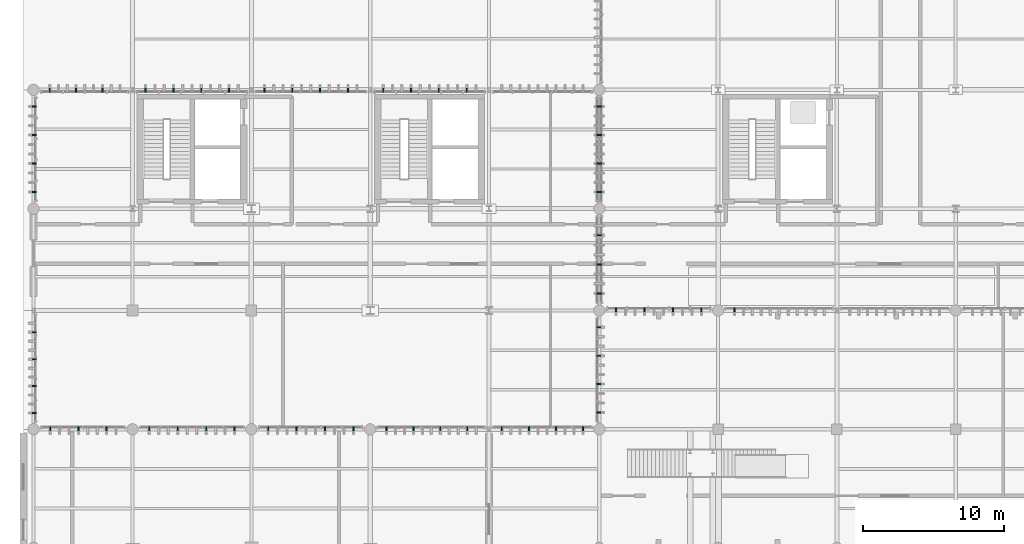
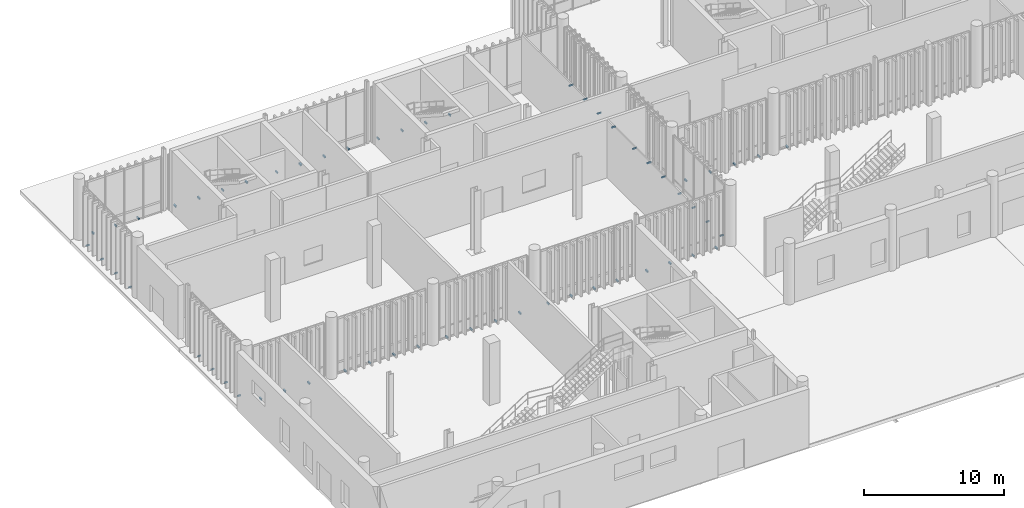
# One storey, part 97 of 112: 65 discrete accessories.
"""IFC4 building model written with IfcOpenShell, lengths in metres."""

from ifc_helpers import new_model, si_unit, direction, frame, origin_with_axes, origin_2d_with_axis, place, context, subcontext, project, spatial, rectangle, extrude, material, type_object, element, save


model = new_model("IFC4")

# Units and contexts
model_context = context("Model", 3, precision=1e-05, world=origin_with_axes(), true_north=direction((0.0, 1.0)))
body_context = subcontext(model_context, "Body", "Model", "MODEL_VIEW")
ifc_project = project(units=[si_unit("LENGTHUNIT", "METRE"), si_unit("AREAUNIT", "SQUARE_METRE"), si_unit("VOLUMEUNIT", "CUBIC_METRE"), si_unit("PLANEANGLEUNIT", "RADIAN"), si_unit("MASSUNIT", "GRAM", prefix="KILO"), si_unit("THERMODYNAMICTEMPERATUREUNIT", "KELVIN")], contexts=[model_context])

# Site, building, storey
site_placement = place(None, origin_with_axes())
site = spatial("IfcSite", under=ifc_project, at=site_placement, CompositionType="ELEMENT")
building_placement = place(site_placement, origin_with_axes())
building = spatial("IfcBuilding", under=site, at=building_placement, Name="Montbau Bow Law Courts", CompositionType="ELEMENT")
storey_placement = place(building_placement, origin_with_axes())
storey = spatial("IfcBuildingStorey", under=building, at=storey_placement, Name="L00", CompositionType="ELEMENT", Elevation=0.0)

# Discrete accessories
ifc_material = material(Name="Stainless Steel AISI 316L Outrigger Louvre Bracket", Category="steel")
discrete_accessory_type = type_object("IfcDiscreteAccessoryType", Name="DA-BRK-01", PredefinedType="BRACKET", material=ifc_material)
for number, where, z_axis, x_axis, name in (
    (1, (7.978, 30.64, 0.0), (0.0, 0.0, 1.0), (0.0, -1.0, 0.0), "BRK-L00-0001:brk_0001"),
    (2, (9.968, 30.64, 0.0), (0.0, 0.0, 1.0), (0.0, -1.0, 0.0), "BRK-L00-0002:brk_0002"),
    (3, (11.958, 30.64, 0.0), (0.0, 0.0, 1.0), (0.0, -1.0, 0.0), "BRK-L00-0003:brk_0003"),
    (4, (14.985, 30.64, 0.0), (0.0, 0.0, 1.0), (0.0, -1.0, 0.0), "BRK-L00-0004:brk_0004"),
    (5, (16.995, 30.64, 0.0), (0.0, 0.0, 1.0), (0.0, -1.0, 0.0), "BRK-L00-0005:brk_0005"),
    (6, (19.005, 30.64, 0.0), (0.0, 0.0, 1.0), (0.0, -1.0, 0.0), "BRK-L00-0006:brk_0006"),
    (7, (21.015, 30.64, 0.0), (0.0, 0.0, 1.0), (0.0, -1.0, 0.0), "BRK-L00-0007:brk_0007"),
    (8, (23.385, 30.64, 0.0), (0.0, 0.0, 1.0), (0.0, -1.0, 0.0), "BRK-L00-0008:brk_0008"),
    (9, (25.395, 30.64, 0.0), (0.0, 0.0, 1.0), (0.0, -1.0, 0.0), "BRK-L00-0009:brk_0009"),
    (10, (27.405, 30.64, 0.0), (0.0, 0.0, 1.0), (0.0, -1.0, 0.0), "BRK-L00-0010:brk_0010"),
    (11, (29.415, 30.64, 0.0), (0.0, 0.0, 1.0), (0.0, -1.0, 0.0), "BRK-L00-0011:brk_0011"),
    (12, (31.75, 30.64, 0.0), (0.0, 0.0, 1.0), (0.0, -1.0, 0.0), "BRK-L00-0012:brk_0012"),
    (13, (33.654, 30.64, 0.0), (0.0, 0.0, 1.0), (0.0, -1.0, 0.0), "BRK-L00-0013:brk_0013"),
    (14, (35.558, 30.64, 0.0), (0.0, 0.0, 1.0), (0.0, -1.0, 0.0), "BRK-L00-0014:brk_0014"),
    (15, (37.463, 30.64, 0.0), (0.0, 0.0, 1.0), (0.0, -1.0, 0.0), "BRK-L00-0015:brk_0015"),
    (16, (39.906, 30.64, 0.0), (0.0, 0.0, 1.0), (0.0, -1.0, 0.0), "BRK-L00-0016:brk_0016"),
    (17, (41.82, 30.64, 0.0), (0.0, 0.0, 1.0), (0.0, -1.0, 0.0), "BRK-L00-0017:brk_0017"),
    (18, (43.733, 30.64, 0.0), (0.0, 0.0, 1.0), (0.0, -1.0, 0.0), "BRK-L00-0018:brk_0018"),
    (19, (45.647, 30.64, 0.0), (0.0, 0.0, 1.0), (0.0, -1.0, 0.0), "BRK-L00-0019:brk_0019"),
    (20, (7.937, 54.56, 0.0), (0.0, 0.0, 1.0), (0.0, 1.0, 0.0), "BRK-L00-0020:brk_0020"),
    (21, (9.802, 54.56, 0.0), (0.0, 0.0, 1.0), (0.0, 1.0, 0.0), "BRK-L00-0021:brk_0021"),
    (22, (11.668, 54.56, 0.0), (0.0, 0.0, 1.0), (0.0, 1.0, 0.0), "BRK-L00-0022:brk_0022"),
    (23, (14.723, 54.56, 0.0), (0.0, 0.0, 1.0), (0.0, 1.0, 0.0), "BRK-L00-0023:brk_0023"),
    (24, (16.69, 54.56, 0.0), (0.0, 0.0, 1.0), (0.0, 1.0, 0.0), "BRK-L00-0024:brk_0024"),
    (25, (18.656, 54.56, 0.0), (0.0, 0.0, 1.0), (0.0, 1.0, 0.0), "BRK-L00-0025:brk_0025"),
    (26, (20.622, 54.56, 0.0), (0.0, 0.0, 1.0), (0.0, 1.0, 0.0), "BRK-L00-0026:brk_0026"),
    (27, (23.122, 54.56, 0.0), (0.0, 0.0, 1.0), (0.0, 1.0, 0.0), "BRK-L00-0027:brk_0027"),
    (28, (25.089, 54.56, 0.0), (0.0, 0.0, 1.0), (0.0, 1.0, 0.0), "BRK-L00-0028:brk_0028"),
    (29, (27.055, 54.56, 0.0), (0.0, 0.0, 1.0), (0.0, 1.0, 0.0), "BRK-L00-0029:brk_0029"),
    (30, (29.022, 54.56, 0.0), (0.0, 0.0, 1.0), (0.0, 1.0, 0.0), "BRK-L00-0030:brk_0030"),
    (31, (31.522, 54.56, 0.0), (0.0, 0.0, 1.0), (0.0, 1.0, 0.0), "BRK-L00-0031:brk_0031"),
    (32, (33.489, 54.56, 0.0), (0.0, 0.0, 1.0), (0.0, 1.0, 0.0), "BRK-L00-0032:brk_0032"),
    (33, (35.455, 54.56, 0.0), (0.0, 0.0, 1.0), (0.0, 1.0, 0.0), "BRK-L00-0033:brk_0033"),
    (34, (37.421, 54.56, 0.0), (0.0, 0.0, 1.0), (0.0, 1.0, 0.0), "BRK-L00-0034:brk_0034"),
    (35, (6.84, 31.75, 0.0), (0.0, 0.0, 1.0), (-1.0, 0.0, 0.0), "BRK-L00-0039:brk_0039"),
    (36, (6.84, 33.654, 0.0), (0.0, 0.0, 1.0), (-1.0, 0.0, 0.0), "BRK-L00-0040:brk_0040"),
    (37, (6.84, 35.558, 0.0), (0.0, 0.0, 1.0), (-1.0, 0.0, 0.0), "BRK-L00-0041:brk_0041"),
    (38, (6.84, 37.463, 0.0), (0.0, 0.0, 1.0), (-1.0, 0.0, 0.0), "BRK-L00-0042:brk_0042"),
    (39, (6.84, 47.385, 0.0), (0.0, 0.0, 1.0), (-1.0, 0.0, 0.0), "BRK-L00-0043:brk_0043"),
    (40, (6.84, 49.395, 0.0), (0.0, 0.0, 1.0), (-1.0, 0.0, 0.0), "BRK-L00-0044:brk_0044"),
    (41, (6.84, 51.405, 0.0), (0.0, 0.0, 1.0), (-1.0, 0.0, 0.0), "BRK-L00-0045:brk_0045"),
    (42, (6.84, 53.415, 0.0), (0.0, 0.0, 1.0), (-1.0, 0.0, 0.0), "BRK-L00-0046:brk_0046"),
    (43, (46.76, 31.785, 0.0), (0.0, 0.0, 1.0), (1.0, 0.0, 0.0), "BRK-L00-0047:brk_0047"),
    (44, (46.76, 33.795, 0.0), (0.0, 0.0, 1.0), (1.0, 0.0, 0.0), "BRK-L00-0048:brk_0048"),
    (45, (46.76, 35.805, 0.0), (0.0, 0.0, 1.0), (1.0, 0.0, 0.0), "BRK-L00-0049:brk_0049"),
    (46, (46.76, 37.815, 0.0), (0.0, 0.0, 1.0), (1.0, 0.0, 0.0), "BRK-L00-0050:brk_0050"),
    (47, (46.76, 40.201, 0.0), (0.0, 0.0, 1.0), (1.0, 0.0, 0.0), "BRK-L00-0051:brk_0051"),
    (48, (46.76, 42.257, 0.0), (0.0, 0.0, 1.0), (1.0, 0.0, 0.0), "BRK-L00-0052:brk_0052"),
    (49, (46.76, 44.314, 0.0), (0.0, 0.0, 1.0), (1.0, 0.0, 0.0), "BRK-L00-0053:brk_0053"),
    (50, (46.76, 47.385, 0.0), (0.0, 0.0, 1.0), (1.0, 0.0, 0.0), "BRK-L00-0054:brk_0054"),
    (51, (46.76, 49.395, 0.0), (0.0, 0.0, 1.0), (1.0, 0.0, 0.0), "BRK-L00-0055:brk_0055"),
    (52, (46.76, 51.405, 0.0), (0.0, 0.0, 1.0), (1.0, 0.0, 0.0), "BRK-L00-0056:brk_0056"),
    (53, (46.76, 53.415, 0.0), (0.0, 0.0, 1.0), (1.0, 0.0, 0.0), "BRK-L00-0057:brk_0057"),
    (54, (47.985, 39.04, 0.0), (0.0, 0.0, 1.0), (0.0, -1.0, 0.0), "BRK-L00-0408:brk_0408"),
    (55, (49.995, 39.04, 0.0), (0.0, 0.0, 1.0), (0.0, -1.0, 0.0), "BRK-L00-0409:brk_0409"),
    (56, (52.005, 39.04, 0.0), (0.0, 0.0, 1.0), (0.0, -1.0, 0.0), "BRK-L00-0410:brk_0410"),
    (57, (54.015, 39.04, 0.0), (0.0, 0.0, 1.0), (0.0, -1.0, 0.0), "BRK-L00-0411:brk_0411"),
    (58, (56.35, 39.04, 0.0), (0.0, 0.0, 1.0), (0.0, -1.0, 0.0), "BRK-L00-0412:brk_0412"),
    (59, (46.84, 40.201, 0.0), (0.0, 0.0, 1.0), (-1.0, 0.0, 0.0), "BRK-L00-0447:brk_0447"),
    (60, (46.84, 42.257, 0.0), (0.0, 0.0, 1.0), (-1.0, 0.0, 0.0), "BRK-L00-0448:brk_0448"),
    (61, (46.84, 44.314, 0.0), (0.0, 0.0, 1.0), (-1.0, 0.0, 0.0), "BRK-L00-0449:brk_0449"),
    (62, (46.84, 47.385, 0.0), (0.0, 0.0, 1.0), (-1.0, 0.0, 0.0), "BRK-L00-0450:brk_0450"),
    (63, (46.84, 49.395, 0.0), (0.0, 0.0, 1.0), (-1.0, 0.0, 0.0), "BRK-L00-0451:brk_0451"),
    (64, (46.84, 51.405, 0.0), (0.0, 0.0, 1.0), (-1.0, 0.0, 0.0), "BRK-L00-0452:brk_0452"),
    (65, (46.84, 53.415, 0.0), (0.0, 0.0, 1.0), (-1.0, 0.0, 0.0), "BRK-L00-0453:brk_0453"),
):
    element("IfcDiscreteAccessory", number, at=place(None, frame(where, z_axis=z_axis, x_axis=x_axis)), inside=storey, type_object=discrete_accessory_type, Name=name, PredefinedType="BRACKET", context=body_context, shape_type="SweptSolid", body=[
        extrude(rectangle(XDim=0.28, YDim=0.09, at=origin_2d_with_axis()), origin_with_axes(), (0.0, 0.0, 1.0), 0.12),
    ])

save(model, "model.ifc")
